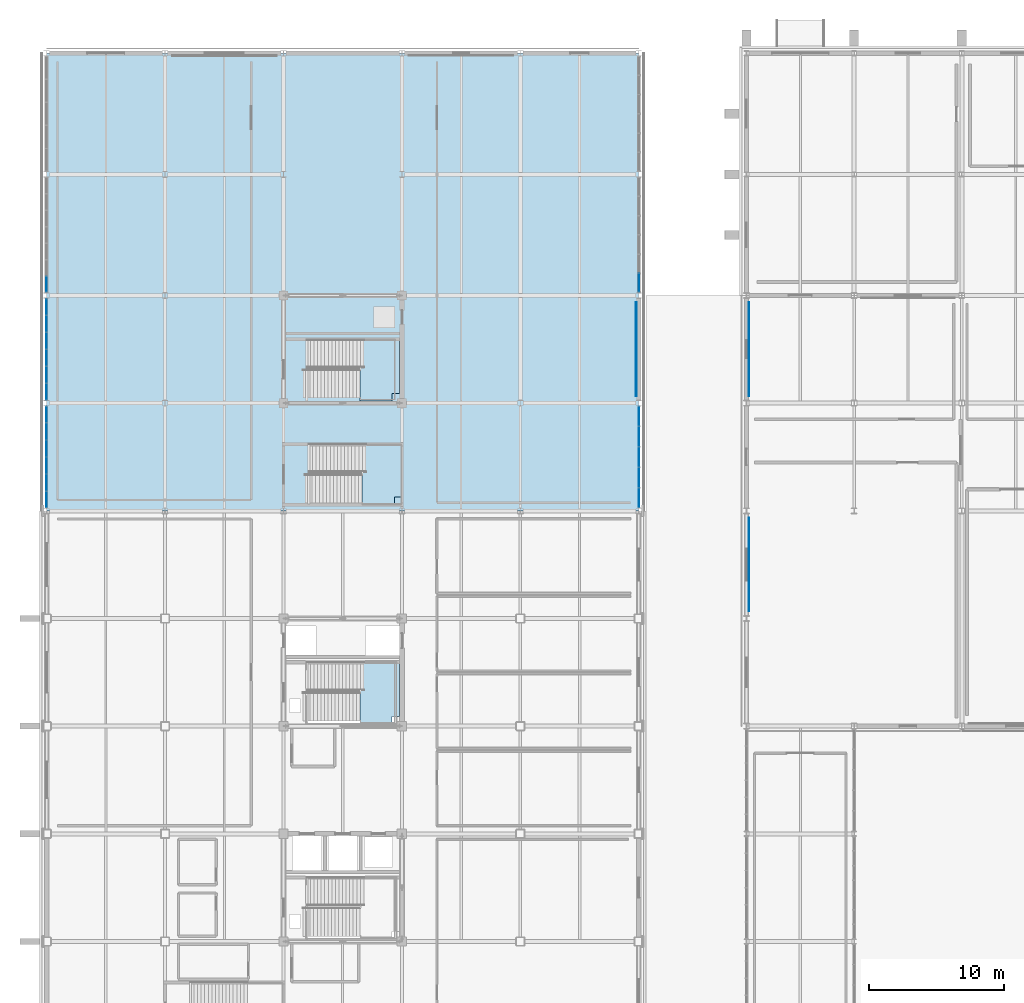
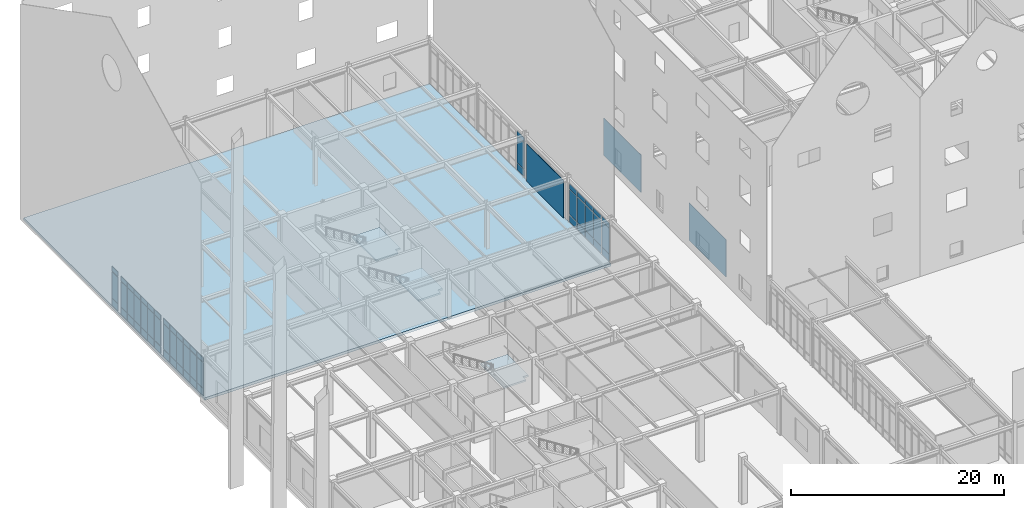
# One storey, part 63 of 119: 60 plates, 4 slabs, 8 elements without a shape of their own.
"""IFC4 building model written with IfcOpenShell, lengths in metres."""

from ifc_helpers import new_model, si_unit, direction, frame, origin, origin_2d, place, context, subcontext, project, spatial, polyline, rectangle, outline, extrude, material, layer, layer_set, type_object, element, aggregate, save


model = new_model("IFC4")

# Units and contexts
model_context = context("Model", 3, precision=1e-05, world=origin(), true_north=direction((0.0, 1.0)))
body_context = subcontext(model_context, "Body", "Model", "MODEL_VIEW")
ifc_project = project(units=[si_unit("LENGTHUNIT", "METRE"), si_unit("AREAUNIT", "SQUARE_METRE"), si_unit("VOLUMEUNIT", "CUBIC_METRE"), si_unit("PLANEANGLEUNIT", "RADIAN"), si_unit("MASSUNIT", "GRAM", prefix="KILO")], contexts=[model_context])

# Site, building, storey
site_placement = place(None, origin())
site = spatial("IfcSite", under=ifc_project, at=site_placement, CompositionType="ELEMENT")
building_placement = place(site_placement, origin())
building = spatial("IfcBuilding", under=site, at=building_placement, Name="Zhaolan Boulevard Law Courts", CompositionType="ELEMENT")
storey_placement = place(building_placement, origin())
storey = spatial("IfcBuildingStorey", under=building, at=storey_placement, Name="L00", CompositionType="ELEMENT", Elevation=0.0)

# Curtain wall, plates
ifc_material_1 = material(Name="Thermally broken aluminium and low-E glazing", Category="aluminium")
curtain_wall_type_1 = type_object("IfcCurtainWallType", Name="CURTAIN WALL M4", PredefinedType="USERDEFINED", material=ifc_material_1)
curtain_wall_1_placement = place(storey_placement, origin())
curtain_wall_1 = element("IfcCurtainWall", 1, at=curtain_wall_1_placement, inside=storey, type_object=curtain_wall_type_1, Name="Curtain Wall CW-L00-100", ObjectType="CURTAIN WALL", PredefinedType="USERDEFINED")
ifc_material_2 = material(Name="Acoustic laminated low-E glazing", Category="glass")
ifc_layer_1 = layer(ifc_material_2, 0.031982421875)
ifc_layer_set_1 = layer_set([ifc_layer_1])
plate_type_1 = type_object("IfcPlateType", Name="CWPANEL LOW E32", PredefinedType="CURTAIN_PANEL", material=ifc_layer_set_1)
plate_1_placement = place(storey_placement, frame((0.0, 85.148681640625, 0.06494140625), z_axis=(0.0, 0.0, 1.0), x_axis=(0.0, -1.0, 0.0)))
plate_1 = element("IfcPlate", 2, at=plate_1_placement, type_object=plate_type_1, Name="CW-L00-100 panel 1.1", PredefinedType="CURTAIN_PANEL", context=body_context, shape_type="SweptSolid", body=[
    extrude(rectangle(XDim=1.16845703125, YDim=0.031982421875, at=origin_2d()), origin(), (0.0, 0.0, 1.0), 0.802490234375),
])
plate_2_placement = place(storey_placement, frame((0.0, 85.148681640625, 0.9326171875), z_axis=(0.0, 0.0, 1.0), x_axis=(0.0, -1.0, 0.0)))
plate_2 = element("IfcPlate", 3, at=plate_2_placement, type_object=plate_type_1, Name="CW-L00-100 panel 1.2", PredefinedType="CURTAIN_PANEL", context=body_context, shape_type="SweptSolid", body=[
    extrude(rectangle(XDim=1.16845703125, YDim=0.031982421875, at=origin_2d()), origin(), (0.0, 0.0, 1.0), 2.887939453125),
])
plate_3_placement = place(storey_placement, frame((0.0, 85.148681640625, 3.8857421875), z_axis=(0.0, 0.0, 1.0), x_axis=(0.0, -1.0, 0.0)))
plate_3 = element("IfcPlate", 4, at=plate_3_placement, type_object=plate_type_1, Name="CW-L00-100 panel 1.3", PredefinedType="CURTAIN_PANEL", context=body_context, shape_type="SweptSolid", body=[
    extrude(rectangle(XDim=1.16845703125, YDim=0.031982421875, at=origin_2d()), origin(), (0.0, 0.0, 1.0), 0.552490234375),
])
plate_4_placement = place(storey_placement, frame((0.0, 83.89892578125, 0.06494140625), z_axis=(0.0, 0.0, 1.0), x_axis=(0.0, -1.0, 0.0)))
plate_4 = element("IfcPlate", 5, at=plate_4_placement, type_object=plate_type_1, Name="CW-L00-100 panel 2.1", PredefinedType="CURTAIN_PANEL", context=body_context, shape_type="SweptSolid", body=[
    extrude(rectangle(XDim=1.200927734375, YDim=0.031982421875, at=origin_2d()), origin(), (0.0, 0.0, 1.0), 0.802490234375),
])
plate_5_placement = place(storey_placement, frame((0.0, 83.89892578125, 0.9326171875), z_axis=(0.0, 0.0, 1.0), x_axis=(0.0, -1.0, 0.0)))
plate_5 = element("IfcPlate", 6, at=plate_5_placement, type_object=plate_type_1, Name="CW-L00-100 panel 2.2", PredefinedType="CURTAIN_PANEL", context=body_context, shape_type="SweptSolid", body=[
    extrude(rectangle(XDim=1.200927734375, YDim=0.031982421875, at=origin_2d()), origin(), (0.0, 0.0, 1.0), 2.887939453125),
])
plate_6_placement = place(storey_placement, frame((0.0, 83.89892578125, 3.8857421875), z_axis=(0.0, 0.0, 1.0), x_axis=(0.0, -1.0, 0.0)))
plate_6 = element("IfcPlate", 7, at=plate_6_placement, type_object=plate_type_1, Name="CW-L00-100 panel 2.3", PredefinedType="CURTAIN_PANEL", context=body_context, shape_type="SweptSolid", body=[
    extrude(rectangle(XDim=1.200927734375, YDim=0.031982421875, at=origin_2d()), origin(), (0.0, 0.0, 1.0), 0.552490234375),
])
plate_7_placement = place(storey_placement, frame((0.0, 82.633056640625, 0.06494140625), z_axis=(0.0, 0.0, 1.0), x_axis=(0.0, -1.0, 0.0)))
plate_7 = element("IfcPlate", 8, at=plate_7_placement, type_object=plate_type_1, Name="CW-L00-100 panel 3.1", PredefinedType="CURTAIN_PANEL", context=body_context, shape_type="SweptSolid", body=[
    extrude(rectangle(XDim=1.200927734375, YDim=0.031982421875, at=origin_2d()), origin(), (0.0, 0.0, 1.0), 0.802490234375),
])
plate_8_placement = place(storey_placement, frame((0.0, 82.633056640625, 0.9326171875), z_axis=(0.0, 0.0, 1.0), x_axis=(0.0, -1.0, 0.0)))
plate_8 = element("IfcPlate", 9, at=plate_8_placement, type_object=plate_type_1, Name="CW-L00-100 panel 3.2", PredefinedType="CURTAIN_PANEL", context=body_context, shape_type="SweptSolid", body=[
    extrude(rectangle(XDim=1.200927734375, YDim=0.031982421875, at=origin_2d()), origin(), (0.0, 0.0, 1.0), 2.887939453125),
])
plate_9_placement = place(storey_placement, frame((0.0, 82.633056640625, 3.8857421875), z_axis=(0.0, 0.0, 1.0), x_axis=(0.0, -1.0, 0.0)))
plate_9 = element("IfcPlate", 10, at=plate_9_placement, type_object=plate_type_1, Name="CW-L00-100 panel 3.3", PredefinedType="CURTAIN_PANEL", context=body_context, shape_type="SweptSolid", body=[
    extrude(rectangle(XDim=1.200927734375, YDim=0.031982421875, at=origin_2d()), origin(), (0.0, 0.0, 1.0), 0.552490234375),
])
plate_10_placement = place(storey_placement, frame((0.0, 81.366943359375, 0.06494140625), z_axis=(0.0, 0.0, 1.0), x_axis=(0.0, -1.0, 0.0)))
plate_10 = element("IfcPlate", 11, at=plate_10_placement, type_object=plate_type_1, Name="CW-L00-100 panel 4.1", PredefinedType="CURTAIN_PANEL", context=body_context, shape_type="SweptSolid", body=[
    extrude(rectangle(XDim=1.200927734375, YDim=0.031982421875, at=origin_2d()), origin(), (0.0, 0.0, 1.0), 0.802490234375),
])
plate_11_placement = place(storey_placement, frame((0.0, 81.366943359375, 0.9326171875), z_axis=(0.0, 0.0, 1.0), x_axis=(0.0, -1.0, 0.0)))
plate_11 = element("IfcPlate", 12, at=plate_11_placement, type_object=plate_type_1, Name="CW-L00-100 panel 4.2", PredefinedType="CURTAIN_PANEL", context=body_context, shape_type="SweptSolid", body=[
    extrude(rectangle(XDim=1.200927734375, YDim=0.031982421875, at=origin_2d()), origin(), (0.0, 0.0, 1.0), 2.887939453125),
])
plate_12_placement = place(storey_placement, frame((0.0, 81.366943359375, 3.8857421875), z_axis=(0.0, 0.0, 1.0), x_axis=(0.0, -1.0, 0.0)))
plate_12 = element("IfcPlate", 13, at=plate_12_placement, type_object=plate_type_1, Name="CW-L00-100 panel 4.3", PredefinedType="CURTAIN_PANEL", context=body_context, shape_type="SweptSolid", body=[
    extrude(rectangle(XDim=1.200927734375, YDim=0.031982421875, at=origin_2d()), origin(), (0.0, 0.0, 1.0), 0.552490234375),
])
plate_13_placement = place(storey_placement, frame((0.0, 80.10107421875, 0.06494140625), z_axis=(0.0, 0.0, 1.0), x_axis=(0.0, -1.0, 0.0)))
plate_13 = element("IfcPlate", 14, at=plate_13_placement, type_object=plate_type_1, Name="CW-L00-100 panel 5.1", PredefinedType="CURTAIN_PANEL", context=body_context, shape_type="SweptSolid", body=[
    extrude(rectangle(XDim=1.200927734375, YDim=0.031982421875, at=origin_2d()), origin(), (0.0, 0.0, 1.0), 0.802490234375),
])
plate_14_placement = place(storey_placement, frame((0.0, 80.10107421875, 0.9326171875), z_axis=(0.0, 0.0, 1.0), x_axis=(0.0, -1.0, 0.0)))
plate_14 = element("IfcPlate", 15, at=plate_14_placement, type_object=plate_type_1, Name="CW-L00-100 panel 5.2", PredefinedType="CURTAIN_PANEL", context=body_context, shape_type="SweptSolid", body=[
    extrude(rectangle(XDim=1.200927734375, YDim=0.031982421875, at=origin_2d()), origin(), (0.0, 0.0, 1.0), 2.887939453125),
])
plate_15_placement = place(storey_placement, frame((0.0, 80.10107421875, 3.8857421875), z_axis=(0.0, 0.0, 1.0), x_axis=(0.0, -1.0, 0.0)))
plate_15 = element("IfcPlate", 16, at=plate_15_placement, type_object=plate_type_1, Name="CW-L00-100 panel 5.3", PredefinedType="CURTAIN_PANEL", context=body_context, shape_type="SweptSolid", body=[
    extrude(rectangle(XDim=1.200927734375, YDim=0.031982421875, at=origin_2d()), origin(), (0.0, 0.0, 1.0), 0.552490234375),
])
plate_16_placement = place(storey_placement, frame((0.0, 78.851318359375, 0.06494140625), z_axis=(0.0, 0.0, 1.0), x_axis=(0.0, -1.0, 0.0)))
plate_16 = element("IfcPlate", 17, at=plate_16_placement, type_object=plate_type_1, Name="CW-L00-100 panel 6.1", PredefinedType="CURTAIN_PANEL", context=body_context, shape_type="SweptSolid", body=[
    extrude(rectangle(XDim=1.16845703125, YDim=0.031982421875, at=origin_2d()), origin(), (0.0, 0.0, 1.0), 0.802490234375),
])
plate_17_placement = place(storey_placement, frame((0.0, 78.851318359375, 0.9326171875), z_axis=(0.0, 0.0, 1.0), x_axis=(0.0, -1.0, 0.0)))
plate_17 = element("IfcPlate", 18, at=plate_17_placement, type_object=plate_type_1, Name="CW-L00-100 panel 6.2", PredefinedType="CURTAIN_PANEL", context=body_context, shape_type="SweptSolid", body=[
    extrude(rectangle(XDim=1.16845703125, YDim=0.031982421875, at=origin_2d()), origin(), (0.0, 0.0, 1.0), 2.887939453125),
])
plate_18_placement = place(storey_placement, frame((0.0, 78.851318359375, 3.8857421875), z_axis=(0.0, 0.0, 1.0), x_axis=(0.0, -1.0, 0.0)))
plate_18 = element("IfcPlate", 19, at=plate_18_placement, type_object=plate_type_1, Name="CW-L00-100 panel 6.3", PredefinedType="CURTAIN_PANEL", context=body_context, shape_type="SweptSolid", body=[
    extrude(rectangle(XDim=1.16845703125, YDim=0.031982421875, at=origin_2d()), origin(), (0.0, 0.0, 1.0), 0.552490234375),
])
aggregate(curtain_wall_1, [plate_1, plate_2, plate_3, plate_4, plate_5, plate_6, plate_7, plate_8, plate_9, plate_10, plate_11, plate_12, plate_13, plate_14, plate_15, plate_16, plate_17, plate_18])

ifc_material_3 = material(Name="Thermally broken aluminium and low-E glazing", Category="aluminium")
curtain_wall_type_2 = type_object("IfcCurtainWallType", Name="CURTAIN WALL M5", PredefinedType="USERDEFINED", material=ifc_material_3)
curtain_wall_2_placement = place(storey_placement, origin())
curtain_wall_2 = element("IfcCurtainWall", 20, at=curtain_wall_2_placement, inside=storey, type_object=curtain_wall_type_2, Name="Curtain Wall CW-L00-101", ObjectType="CURTAIN WALL", PredefinedType="USERDEFINED")
plate_19_placement = place(storey_placement, frame((0.0, 93.148681640625, 0.06494140625), z_axis=(0.0, 0.0, 1.0), x_axis=(0.0, -1.0, 0.0)))
plate_19 = element("IfcPlate", 21, at=plate_19_placement, type_object=plate_type_1, Name="CW-L00-101 panel 1.1", PredefinedType="CURTAIN_PANEL", context=body_context, shape_type="SweptSolid", body=[
    extrude(rectangle(XDim=1.16845703125, YDim=0.031982421875, at=origin_2d()), origin(), (0.0, 0.0, 1.0), 0.802490234375),
])
plate_20_placement = place(storey_placement, frame((0.0, 93.148681640625, 0.9326171875), z_axis=(0.0, 0.0, 1.0), x_axis=(0.0, -1.0, 0.0)))
plate_20 = element("IfcPlate", 22, at=plate_20_placement, type_object=plate_type_1, Name="CW-L00-101 panel 1.2", PredefinedType="CURTAIN_PANEL", context=body_context, shape_type="SweptSolid", body=[
    extrude(rectangle(XDim=1.16845703125, YDim=0.031982421875, at=origin_2d()), origin(), (0.0, 0.0, 1.0), 2.887939453125),
])
plate_21_placement = place(storey_placement, frame((0.0, 93.148681640625, 3.8857421875), z_axis=(0.0, 0.0, 1.0), x_axis=(0.0, -1.0, 0.0)))
plate_21 = element("IfcPlate", 23, at=plate_21_placement, type_object=plate_type_1, Name="CW-L00-101 panel 1.3", PredefinedType="CURTAIN_PANEL", context=body_context, shape_type="SweptSolid", body=[
    extrude(rectangle(XDim=1.16845703125, YDim=0.031982421875, at=origin_2d()), origin(), (0.0, 0.0, 1.0), 0.552490234375),
])
plate_22_placement = place(storey_placement, frame((0.0, 91.89892578125, 0.06494140625), z_axis=(0.0, 0.0, 1.0), x_axis=(0.0, -1.0, 0.0)))
plate_22 = element("IfcPlate", 24, at=plate_22_placement, type_object=plate_type_1, Name="CW-L00-101 panel 2.1", PredefinedType="CURTAIN_PANEL", context=body_context, shape_type="SweptSolid", body=[
    extrude(rectangle(XDim=1.200927734375, YDim=0.031982421875, at=origin_2d()), origin(), (0.0, 0.0, 1.0), 0.802490234375),
])
plate_23_placement = place(storey_placement, frame((0.0, 91.89892578125, 0.9326171875), z_axis=(0.0, 0.0, 1.0), x_axis=(0.0, -1.0, 0.0)))
plate_23 = element("IfcPlate", 25, at=plate_23_placement, type_object=plate_type_1, Name="CW-L00-101 panel 2.2", PredefinedType="CURTAIN_PANEL", context=body_context, shape_type="SweptSolid", body=[
    extrude(rectangle(XDim=1.200927734375, YDim=0.031982421875, at=origin_2d()), origin(), (0.0, 0.0, 1.0), 2.887939453125),
])
plate_24_placement = place(storey_placement, frame((0.0, 91.89892578125, 3.8857421875), z_axis=(0.0, 0.0, 1.0), x_axis=(0.0, -1.0, 0.0)))
plate_24 = element("IfcPlate", 26, at=plate_24_placement, type_object=plate_type_1, Name="CW-L00-101 panel 2.3", PredefinedType="CURTAIN_PANEL", context=body_context, shape_type="SweptSolid", body=[
    extrude(rectangle(XDim=1.200927734375, YDim=0.031982421875, at=origin_2d()), origin(), (0.0, 0.0, 1.0), 0.552490234375),
])
plate_25_placement = place(storey_placement, frame((0.0, 90.633056640625, 0.06494140625), z_axis=(0.0, 0.0, 1.0), x_axis=(0.0, -1.0, 0.0)))
plate_25 = element("IfcPlate", 27, at=plate_25_placement, type_object=plate_type_1, Name="CW-L00-101 panel 3.1", PredefinedType="CURTAIN_PANEL", context=body_context, shape_type="SweptSolid", body=[
    extrude(rectangle(XDim=1.200927734375, YDim=0.031982421875, at=origin_2d()), origin(), (0.0, 0.0, 1.0), 0.802490234375),
])
plate_26_placement = place(storey_placement, frame((0.0, 90.633056640625, 0.9326171875), z_axis=(0.0, 0.0, 1.0), x_axis=(0.0, -1.0, 0.0)))
plate_26 = element("IfcPlate", 28, at=plate_26_placement, type_object=plate_type_1, Name="CW-L00-101 panel 3.2", PredefinedType="CURTAIN_PANEL", context=body_context, shape_type="SweptSolid", body=[
    extrude(rectangle(XDim=1.200927734375, YDim=0.031982421875, at=origin_2d()), origin(), (0.0, 0.0, 1.0), 2.887939453125),
])
plate_27_placement = place(storey_placement, frame((0.0, 90.633056640625, 3.8857421875), z_axis=(0.0, 0.0, 1.0), x_axis=(0.0, -1.0, 0.0)))
plate_27 = element("IfcPlate", 29, at=plate_27_placement, type_object=plate_type_1, Name="CW-L00-101 panel 3.3", PredefinedType="CURTAIN_PANEL", context=body_context, shape_type="SweptSolid", body=[
    extrude(rectangle(XDim=1.200927734375, YDim=0.031982421875, at=origin_2d()), origin(), (0.0, 0.0, 1.0), 0.552490234375),
])
plate_28_placement = place(storey_placement, frame((0.0, 89.366943359375, 0.06494140625), z_axis=(0.0, 0.0, 1.0), x_axis=(0.0, -1.0, 0.0)))
plate_28 = element("IfcPlate", 30, at=plate_28_placement, type_object=plate_type_1, Name="CW-L00-101 panel 4.1", PredefinedType="CURTAIN_PANEL", context=body_context, shape_type="SweptSolid", body=[
    extrude(rectangle(XDim=1.200927734375, YDim=0.031982421875, at=origin_2d()), origin(), (0.0, 0.0, 1.0), 0.802490234375),
])
plate_29_placement = place(storey_placement, frame((0.0, 89.366943359375, 0.9326171875), z_axis=(0.0, 0.0, 1.0), x_axis=(0.0, -1.0, 0.0)))
plate_29 = element("IfcPlate", 31, at=plate_29_placement, type_object=plate_type_1, Name="CW-L00-101 panel 4.2", PredefinedType="CURTAIN_PANEL", context=body_context, shape_type="SweptSolid", body=[
    extrude(rectangle(XDim=1.200927734375, YDim=0.031982421875, at=origin_2d()), origin(), (0.0, 0.0, 1.0), 2.887939453125),
])
plate_30_placement = place(storey_placement, frame((0.0, 89.366943359375, 3.8857421875), z_axis=(0.0, 0.0, 1.0), x_axis=(0.0, -1.0, 0.0)))
plate_30 = element("IfcPlate", 32, at=plate_30_placement, type_object=plate_type_1, Name="CW-L00-101 panel 4.3", PredefinedType="CURTAIN_PANEL", context=body_context, shape_type="SweptSolid", body=[
    extrude(rectangle(XDim=1.200927734375, YDim=0.031982421875, at=origin_2d()), origin(), (0.0, 0.0, 1.0), 0.552490234375),
])
plate_31_placement = place(storey_placement, frame((0.0, 88.10107421875, 0.06494140625), z_axis=(0.0, 0.0, 1.0), x_axis=(0.0, -1.0, 0.0)))
plate_31 = element("IfcPlate", 33, at=plate_31_placement, type_object=plate_type_1, Name="CW-L00-101 panel 5.1", PredefinedType="CURTAIN_PANEL", context=body_context, shape_type="SweptSolid", body=[
    extrude(rectangle(XDim=1.200927734375, YDim=0.031982421875, at=origin_2d()), origin(), (0.0, 0.0, 1.0), 0.802490234375),
])
plate_32_placement = place(storey_placement, frame((0.0, 88.10107421875, 0.9326171875), z_axis=(0.0, 0.0, 1.0), x_axis=(0.0, -1.0, 0.0)))
plate_32 = element("IfcPlate", 34, at=plate_32_placement, type_object=plate_type_1, Name="CW-L00-101 panel 5.2", PredefinedType="CURTAIN_PANEL", context=body_context, shape_type="SweptSolid", body=[
    extrude(rectangle(XDim=1.200927734375, YDim=0.031982421875, at=origin_2d()), origin(), (0.0, 0.0, 1.0), 2.887939453125),
])
plate_33_placement = place(storey_placement, frame((0.0, 88.10107421875, 3.8857421875), z_axis=(0.0, 0.0, 1.0), x_axis=(0.0, -1.0, 0.0)))
plate_33 = element("IfcPlate", 35, at=plate_33_placement, type_object=plate_type_1, Name="CW-L00-101 panel 5.3", PredefinedType="CURTAIN_PANEL", context=body_context, shape_type="SweptSolid", body=[
    extrude(rectangle(XDim=1.200927734375, YDim=0.031982421875, at=origin_2d()), origin(), (0.0, 0.0, 1.0), 0.552490234375),
])
plate_34_placement = place(storey_placement, frame((0.0, 86.851318359375, 0.06494140625), z_axis=(0.0, 0.0, 1.0), x_axis=(0.0, -1.0, 0.0)))
plate_34 = element("IfcPlate", 36, at=plate_34_placement, type_object=plate_type_1, Name="CW-L00-101 panel 6.1", PredefinedType="CURTAIN_PANEL", context=body_context, shape_type="SweptSolid", body=[
    extrude(rectangle(XDim=1.16845703125, YDim=0.031982421875, at=origin_2d()), origin(), (0.0, 0.0, 1.0), 0.802490234375),
])
plate_35_placement = place(storey_placement, frame((0.0, 86.851318359375, 0.9326171875), z_axis=(0.0, 0.0, 1.0), x_axis=(0.0, -1.0, 0.0)))
plate_35 = element("IfcPlate", 37, at=plate_35_placement, type_object=plate_type_1, Name="CW-L00-101 panel 6.2", PredefinedType="CURTAIN_PANEL", context=body_context, shape_type="SweptSolid", body=[
    extrude(rectangle(XDim=1.16845703125, YDim=0.031982421875, at=origin_2d()), origin(), (0.0, 0.0, 1.0), 2.887939453125),
])
plate_36_placement = place(storey_placement, frame((0.0, 86.851318359375, 3.8857421875), z_axis=(0.0, 0.0, 1.0), x_axis=(0.0, -1.0, 0.0)))
plate_36 = element("IfcPlate", 38, at=plate_36_placement, type_object=plate_type_1, Name="CW-L00-101 panel 6.3", PredefinedType="CURTAIN_PANEL", context=body_context, shape_type="SweptSolid", body=[
    extrude(rectangle(XDim=1.16845703125, YDim=0.031982421875, at=origin_2d()), origin(), (0.0, 0.0, 1.0), 0.552490234375),
])
aggregate(curtain_wall_2, [plate_19, plate_20, plate_21, plate_22, plate_23, plate_24, plate_25, plate_26, plate_27, plate_28, plate_29, plate_30, plate_31, plate_32, plate_33, plate_34, plate_35, plate_36])

ifc_material_4 = material(Name="Thermally broken aluminium and low-E glazing", Category="aluminium")
curtain_wall_type_3 = type_object("IfcCurtainWallType", Name="CURTAIN WALL M6", PredefinedType="USERDEFINED", material=ifc_material_4)
curtain_wall_3_placement = place(storey_placement, origin())
curtain_wall_3 = element("IfcCurtainWall", 39, at=curtain_wall_3_placement, inside=storey, type_object=curtain_wall_type_3, Name="Curtain Wall CW-L00-102", ObjectType="CURTAIN WALL", PredefinedType="USERDEFINED")
plate_37_placement = place(storey_placement, frame((0.0, 94.832275390625, 0.06494140625), z_axis=(0.0, 0.0, 1.0), x_axis=(0.0, -1.0, 0.0)))
plate_37 = element("IfcPlate", 40, at=plate_37_placement, type_object=plate_type_1, Name="CW-L00-102 panel 7.1", PredefinedType="CURTAIN_PANEL", context=body_context, shape_type="SweptSolid", body=[
    extrude(rectangle(XDim=1.130615234375, YDim=0.031982421875, at=origin_2d()), origin(), (0.0, 0.0, 1.0), 0.802490234375),
])
plate_38_placement = place(storey_placement, frame((0.0, 94.832275390625, 0.9326171875), z_axis=(0.0, 0.0, 1.0), x_axis=(0.0, -1.0, 0.0)))
plate_38 = element("IfcPlate", 41, at=plate_38_placement, type_object=plate_type_1, Name="CW-L00-102 panel 7.2", PredefinedType="CURTAIN_PANEL", context=body_context, shape_type="SweptSolid", body=[
    extrude(rectangle(XDim=1.130615234375, YDim=0.031982421875, at=origin_2d()), origin(), (0.0, 0.0, 1.0), 3.006103515625),
])
plate_39_placement = place(storey_placement, frame((0.0, 94.832275390625, 4.00341796875), z_axis=(0.0, 0.0, 1.0), x_axis=(0.0, -1.0, 0.0)))
plate_39 = element("IfcPlate", 42, at=plate_39_placement, type_object=plate_type_1, Name="CW-L00-102 panel 7.3", PredefinedType="CURTAIN_PANEL", context=body_context, shape_type="SweptSolid", body=[
    extrude(rectangle(XDim=1.130615234375, YDim=0.031982421875, at=origin_2d()), origin(), (0.0, 0.0, 1.0), 0.552490234375),
])
aggregate(curtain_wall_3, [plate_37, plate_38, plate_39])

ifc_material_5 = material(Name="Thermally broken aluminium and low-E glazing", Category="aluminium")
curtain_wall_type_4 = type_object("IfcCurtainWallType", Name="CURTAIN WALL M8", PredefinedType="USERDEFINED", material=ifc_material_5)
curtain_wall_4_placement = place(storey_placement, origin())
curtain_wall_4 = element("IfcCurtainWall", 43, at=curtain_wall_4_placement, inside=storey, type_object=curtain_wall_type_4, Name="Curtain Wall CW-L00-104", ObjectType="CURTAIN WALL", PredefinedType="USERDEFINED")
plate_40_placement = place(storey_placement, frame((44.0, 78.977783203125, 0.06494140625), z_axis=(0.0, 0.0, 1.0), x_axis=(0.0, 1.0, 0.0)))
plate_40 = element("IfcPlate", 44, at=plate_40_placement, type_object=plate_type_1, Name="CW-L00-104 panel 1.1", PredefinedType="CURTAIN_PANEL", context=body_context, shape_type="SweptSolid", body=[
    extrude(rectangle(XDim=1.421630859375, YDim=0.031982421875, at=origin_2d()), origin(), (0.0, 0.0, 1.0), 0.802490234375),
])
plate_41_placement = place(storey_placement, frame((44.0, 78.977783203125, 0.9326171875), z_axis=(0.0, 0.0, 1.0), x_axis=(0.0, 1.0, 0.0)))
plate_41 = element("IfcPlate", 45, at=plate_41_placement, type_object=plate_type_1, Name="CW-L00-104 panel 1.2", PredefinedType="CURTAIN_PANEL", context=body_context, shape_type="SweptSolid", body=[
    extrude(rectangle(XDim=1.421630859375, YDim=0.031982421875, at=origin_2d()), origin(), (0.0, 0.0, 1.0), 2.887939453125),
])
plate_42_placement = place(storey_placement, frame((44.0, 78.977783203125, 3.8857421875), z_axis=(0.0, 0.0, 1.0), x_axis=(0.0, 1.0, 0.0)))
plate_42 = element("IfcPlate", 46, at=plate_42_placement, type_object=plate_type_1, Name="CW-L00-104 panel 1.3", PredefinedType="CURTAIN_PANEL", context=body_context, shape_type="SweptSolid", body=[
    extrude(rectangle(XDim=1.421630859375, YDim=0.031982421875, at=origin_2d()), origin(), (0.0, 0.0, 1.0), 0.552490234375),
])
plate_43_placement = place(storey_placement, frame((44.0, 80.480712890625, 0.06494140625), z_axis=(0.0, 0.0, 1.0), x_axis=(0.0, 1.0, 0.0)))
plate_43 = element("IfcPlate", 47, at=plate_43_placement, type_object=plate_type_1, Name="CW-L00-104 panel 2.1", PredefinedType="CURTAIN_PANEL", context=body_context, shape_type="SweptSolid", body=[
    extrude(rectangle(XDim=1.4541015625, YDim=0.031982421875, at=origin_2d()), origin(), (0.0, 0.0, 1.0), 0.802490234375),
])
plate_44_placement = place(storey_placement, frame((44.0, 80.480712890625, 0.9326171875), z_axis=(0.0, 0.0, 1.0), x_axis=(0.0, 1.0, 0.0)))
plate_44 = element("IfcPlate", 48, at=plate_44_placement, type_object=plate_type_1, Name="CW-L00-104 panel 2.2", PredefinedType="CURTAIN_PANEL", context=body_context, shape_type="SweptSolid", body=[
    extrude(rectangle(XDim=1.4541015625, YDim=0.031982421875, at=origin_2d()), origin(), (0.0, 0.0, 1.0), 2.887939453125),
])
plate_45_placement = place(storey_placement, frame((44.0, 80.480712890625, 3.8857421875), z_axis=(0.0, 0.0, 1.0), x_axis=(0.0, 1.0, 0.0)))
plate_45 = element("IfcPlate", 49, at=plate_45_placement, type_object=plate_type_1, Name="CW-L00-104 panel 2.3", PredefinedType="CURTAIN_PANEL", context=body_context, shape_type="SweptSolid", body=[
    extrude(rectangle(XDim=1.4541015625, YDim=0.031982421875, at=origin_2d()), origin(), (0.0, 0.0, 1.0), 0.552490234375),
])
plate_46_placement = place(storey_placement, frame((44.0, 82.0, 0.06494140625), z_axis=(0.0, 0.0, 1.0), x_axis=(0.0, 1.0, 0.0)))
plate_46 = element("IfcPlate", 50, at=plate_46_placement, type_object=plate_type_1, Name="CW-L00-104 panel 3.1", PredefinedType="CURTAIN_PANEL", context=body_context, shape_type="SweptSolid", body=[
    extrude(rectangle(XDim=1.4541015625, YDim=0.031982421875, at=origin_2d()), origin(), (0.0, 0.0, 1.0), 0.802490234375),
])
plate_47_placement = place(storey_placement, frame((44.0, 82.0, 0.9326171875), z_axis=(0.0, 0.0, 1.0), x_axis=(0.0, 1.0, 0.0)))
plate_47 = element("IfcPlate", 51, at=plate_47_placement, type_object=plate_type_1, Name="CW-L00-104 panel 3.2", PredefinedType="CURTAIN_PANEL", context=body_context, shape_type="SweptSolid", body=[
    extrude(rectangle(XDim=1.4541015625, YDim=0.031982421875, at=origin_2d()), origin(), (0.0, 0.0, 1.0), 2.887939453125),
])
plate_48_placement = place(storey_placement, frame((44.0, 82.0, 3.8857421875), z_axis=(0.0, 0.0, 1.0), x_axis=(0.0, 1.0, 0.0)))
plate_48 = element("IfcPlate", 52, at=plate_48_placement, type_object=plate_type_1, Name="CW-L00-104 panel 3.3", PredefinedType="CURTAIN_PANEL", context=body_context, shape_type="SweptSolid", body=[
    extrude(rectangle(XDim=1.4541015625, YDim=0.031982421875, at=origin_2d()), origin(), (0.0, 0.0, 1.0), 0.552490234375),
])
plate_49_placement = place(storey_placement, frame((44.0, 83.519287109375, 0.06494140625), z_axis=(0.0, 0.0, 1.0), x_axis=(0.0, 1.0, 0.0)))
plate_49 = element("IfcPlate", 53, at=plate_49_placement, type_object=plate_type_1, Name="CW-L00-104 panel 4.1", PredefinedType="CURTAIN_PANEL", context=body_context, shape_type="SweptSolid", body=[
    extrude(rectangle(XDim=1.4541015625, YDim=0.031982421875, at=origin_2d()), origin(), (0.0, 0.0, 1.0), 0.802490234375),
])
plate_50_placement = place(storey_placement, frame((44.0, 83.519287109375, 0.9326171875), z_axis=(0.0, 0.0, 1.0), x_axis=(0.0, 1.0, 0.0)))
plate_50 = element("IfcPlate", 54, at=plate_50_placement, type_object=plate_type_1, Name="CW-L00-104 panel 4.2", PredefinedType="CURTAIN_PANEL", context=body_context, shape_type="SweptSolid", body=[
    extrude(rectangle(XDim=1.4541015625, YDim=0.031982421875, at=origin_2d()), origin(), (0.0, 0.0, 1.0), 2.887939453125),
])
plate_51_placement = place(storey_placement, frame((44.0, 83.519287109375, 3.8857421875), z_axis=(0.0, 0.0, 1.0), x_axis=(0.0, 1.0, 0.0)))
plate_51 = element("IfcPlate", 55, at=plate_51_placement, type_object=plate_type_1, Name="CW-L00-104 panel 4.3", PredefinedType="CURTAIN_PANEL", context=body_context, shape_type="SweptSolid", body=[
    extrude(rectangle(XDim=1.4541015625, YDim=0.031982421875, at=origin_2d()), origin(), (0.0, 0.0, 1.0), 0.552490234375),
])
plate_52_placement = place(storey_placement, frame((44.0, 85.022216796875, 0.06494140625), z_axis=(0.0, 0.0, 1.0), x_axis=(0.0, 1.0, 0.0)))
plate_52 = element("IfcPlate", 56, at=plate_52_placement, type_object=plate_type_1, Name="CW-L00-104 panel 5.1", PredefinedType="CURTAIN_PANEL", context=body_context, shape_type="SweptSolid", body=[
    extrude(rectangle(XDim=1.421630859375, YDim=0.031982421875, at=origin_2d()), origin(), (0.0, 0.0, 1.0), 0.802490234375),
])
plate_53_placement = place(storey_placement, frame((44.0, 85.022216796875, 0.9326171875), z_axis=(0.0, 0.0, 1.0), x_axis=(0.0, 1.0, 0.0)))
plate_53 = element("IfcPlate", 57, at=plate_53_placement, type_object=plate_type_1, Name="CW-L00-104 panel 5.2", PredefinedType="CURTAIN_PANEL", context=body_context, shape_type="SweptSolid", body=[
    extrude(rectangle(XDim=1.421630859375, YDim=0.031982421875, at=origin_2d()), origin(), (0.0, 0.0, 1.0), 2.887939453125),
])
plate_54_placement = place(storey_placement, frame((44.0, 85.022216796875, 3.8857421875), z_axis=(0.0, 0.0, 1.0), x_axis=(0.0, 1.0, 0.0)))
plate_54 = element("IfcPlate", 58, at=plate_54_placement, type_object=plate_type_1, Name="CW-L00-104 panel 5.3", PredefinedType="CURTAIN_PANEL", context=body_context, shape_type="SweptSolid", body=[
    extrude(rectangle(XDim=1.421630859375, YDim=0.031982421875, at=origin_2d()), origin(), (0.0, 0.0, 1.0), 0.552490234375),
])
aggregate(curtain_wall_4, [plate_40, plate_41, plate_42, plate_43, plate_44, plate_45, plate_46, plate_47, plate_48, plate_49, plate_50, plate_51, plate_52, plate_53, plate_54])

ifc_material_6 = material(Name="Thermally broken aluminium and low-E glazing", Category="aluminium")
curtain_wall_type_5 = type_object("IfcCurtainWallType", Name="CURTAIN WALL M9", PredefinedType="USERDEFINED", material=ifc_material_6)
curtain_wall_5_placement = place(storey_placement, origin())
curtain_wall_5 = element("IfcCurtainWall", 59, at=curtain_wall_5_placement, inside=storey, type_object=curtain_wall_type_5, Name="Curtain Wall CW-L00-105", ObjectType="CURTAIN WALL", PredefinedType="USERDEFINED")
plate_55_placement = place(storey_placement, frame((44.0, 94.9345703125, 0.06494140625), z_axis=(0.0, 0.0, 1.0), x_axis=(0.0, 1.0, 0.0)))
plate_55 = element("IfcPlate", 60, at=plate_55_placement, type_object=plate_type_1, Name="CW-L00-105 panel 1.1", PredefinedType="CURTAIN_PANEL", context=body_context, shape_type="SweptSolid", body=[
    extrude(rectangle(XDim=1.335205078125, YDim=0.031982421875, at=origin_2d()), origin(), (0.0, 0.0, 1.0), 0.802490234375),
])
plate_56_placement = place(storey_placement, frame((44.0, 94.9345703125, 0.9326171875), z_axis=(0.0, 0.0, 1.0), x_axis=(0.0, 1.0, 0.0)))
plate_56 = element("IfcPlate", 61, at=plate_56_placement, type_object=plate_type_1, Name="CW-L00-105 panel 1.2", PredefinedType="CURTAIN_PANEL", context=body_context, shape_type="SweptSolid", body=[
    extrude(rectangle(XDim=1.335205078125, YDim=0.031982421875, at=origin_2d()), origin(), (0.0, 0.0, 1.0), 3.006103515625),
])
plate_57_placement = place(storey_placement, frame((44.0, 94.9345703125, 4.00341796875), z_axis=(0.0, 0.0, 1.0), x_axis=(0.0, 1.0, 0.0)))
plate_57 = element("IfcPlate", 62, at=plate_57_placement, type_object=plate_type_1, Name="CW-L00-105 panel 1.3", PredefinedType="CURTAIN_PANEL", context=body_context, shape_type="SweptSolid", body=[
    extrude(rectangle(XDim=1.335205078125, YDim=0.031982421875, at=origin_2d()), origin(), (0.0, 0.0, 1.0), 0.552490234375),
])
aggregate(curtain_wall_5, [plate_55, plate_56, plate_57])

# Slab
ifc_material_7 = material(Name="Concrete C40", Category="concrete")
ifc_layer_2 = layer(ifc_material_7, 0.300048828125)
ifc_layer_set_2 = layer_set([ifc_layer_2])
slab_type_1 = type_object("IfcSlabType", Name="FLOOR SLAB 300", PredefinedType="FLOOR", material=ifc_layer_set_2)
slab_1_placement = place(storey_placement, frame((0.0, 0.0, -0.300048828125)))
element("IfcSlab", 63, at=slab_1_placement, inside=storey, type_object=slab_type_1, Name="Slab SLB-L00-V3", PredefinedType="FLOOR", context=body_context, shape_type="SweptSolid", body=[
    extrude(outline(polyline([(0.0, 78.0), (44.0, 78.0), (44.0, 112.0), (0.0, 112.0), (0.0, 78.0)])), origin(), (0.0, 0.0, 1.0), 0.300048828125),
])

# Stair, slab
ifc_material_8 = material(Name="Concrete C40", Category="concrete")
stair_type_1 = type_object("IfcStairType", Name="HALF TURN STAIR 54 B", PredefinedType="HALF_TURN_STAIR", material=ifc_material_8)
stair_1_placement = place(storey_placement, origin())
stair_1 = element("IfcStair", 64, at=stair_1_placement, inside=storey, type_object=stair_type_1, Name="Stair ST02-L00", PredefinedType="HALF_TURN_STAIR")
ifc_material_9 = material(Name="Concrete C40", Category="concrete")
ifc_layer_3 = layer(ifc_material_9, 0.199951171875)
ifc_layer_set_3 = layer_set([ifc_layer_3])
slab_type_2 = type_object("IfcSlabType", Name="STAIR LANDING 200", PredefinedType="LANDING", material=ifc_layer_set_3)
slab_2_placement = place(storey_placement, frame((0.0, 0.0, 2.5)))
slab_2 = element("IfcSlab", 65, at=slab_2_placement, type_object=slab_type_2, Name="Stair Landing ST02-L00-L1", PredefinedType="LANDING", context=body_context, shape_type="SweptSolid", body=[
    extrude(outline(polyline([(23.2900390625, 62.169921875), (25.669921875, 62.169921875), (25.669921875, 62.72998046875), (26.22998046875, 62.72998046875), (26.22998046875, 66.639892578125), (23.2900390625, 66.639892578125), (23.2900390625, 62.169921875)])), origin(), (0.0, 0.0, 1.0), 0.199951171875),
])
aggregate(stair_1, [slab_2])

ifc_material_10 = material(Name="Concrete C40", Category="concrete")
stair_type_2 = type_object("IfcStairType", Name="HALF TURN STAIR 54 A", PredefinedType="HALF_TURN_STAIR", material=ifc_material_10)
stair_2_placement = place(storey_placement, origin())
stair_2 = element("IfcStair", 66, at=stair_2_placement, inside=storey, type_object=stair_type_2, Name="Stair ST10-L00", PredefinedType="HALF_TURN_STAIR")
slab_3_placement = place(storey_placement, frame((0.0, 0.0, 2.5)))
slab_3 = element("IfcSlab", 67, at=slab_3_placement, type_object=slab_type_2, Name="Stair Landing ST10-L00-L1", PredefinedType="LANDING", context=body_context, shape_type="SweptSolid", body=[
    extrude(outline(polyline([(23.2900390625, 86.169921875), (25.669921875, 86.169921875), (25.669921875, 86.72998046875), (26.22998046875, 86.72998046875), (26.22998046875, 90.639892578125), (23.2900390625, 90.639892578125), (23.2900390625, 86.169921875)])), origin(), (0.0, 0.0, 1.0), 0.199951171875),
])
aggregate(stair_2, [slab_3])

stair_3_placement = place(storey_placement, origin())
stair_3 = element("IfcStair", 68, at=stair_3_placement, inside=storey, type_object=stair_type_1, Name="Stair ST12-L00", PredefinedType="HALF_TURN_STAIR")
slab_4_placement = place(storey_placement, frame((0.0, 0.0, 2.5)))
slab_4 = element("IfcSlab", 69, at=slab_4_placement, type_object=slab_type_2, Name="Stair Landing ST12-L00-L1", PredefinedType="LANDING", context=body_context, shape_type="SweptSolid", body=[
    extrude(outline(polyline([(23.43994140625, 78.5), (25.840087890625, 78.5), (25.840087890625, 79.010009765625), (26.35009765625, 79.010009765625), (26.35009765625, 82.89990234375), (23.43994140625, 82.89990234375), (23.43994140625, 78.5)])), origin(), (0.0, 0.0, 1.0), 0.199951171875),
])
aggregate(stair_3, [slab_4])

# Plates
ifc_material_11 = material(Name="Pale mist-grey standing-seam Al-Mg-Mn zinc-titanium")
ifc_layer_4 = layer(ifc_material_11, 0.0400390625)
ifc_layer_set_4 = layer_set([ifc_layer_4])
plate_type_2 = type_object("IfcPlateType", Name="STANDING SEAM PLATE 40", PredefinedType="SHEET", material=ifc_layer_set_4)
plate_58_placement = place(storey_placement, frame((52.179931640625, 74.0, 0.1005859375), z_axis=(0.0, 0.0, 1.0), x_axis=(0.0, -1.0, 0.0)))
element("IfcPlate", 70, at=plate_58_placement, inside=storey, type_object=plate_type_2, Name="Standing-Seam Metal Wall Cladding SSP-L00-198", PredefinedType="SHEET", context=body_context, shape_type="SweptSolid", body=[
    extrude(rectangle(XDim=6.9599609375, YDim=0.0400390625, at=origin_2d()), origin(), (0.0, 0.0, 1.0), 4.302978515625),
])
ifc_material_12 = material(Name="Pale mist-grey standing-seam Al-Mg-Mn zinc-titanium")
ifc_layer_5 = layer(ifc_material_12, 0.050048828125)
ifc_layer_set_5 = layer_set([ifc_layer_5])
plate_type_3 = type_object("IfcPlateType", Name="STANDING SEAM PLATE 50", PredefinedType="SHEET", material=ifc_layer_set_5)
for number, where, z_axis, x_axis, name in (
    (71, (52.18505859375, 90.0, 0.1005859375), (0.0, 0.0, 1.0), (0.0, -1.0, 0.0), "Standing-Seam Metal Wall Cladding SSP-L00-200"),
    (72, (43.81494140625, 90.0, 0.1005859375), (0.0, 0.0, 1.0), (0.0, 1.0, 0.0), "Standing-Seam Metal Wall Cladding SSP-L00-344"),
):
    element("IfcPlate", number, at=place(storey_placement, frame(where, z_axis=z_axis, x_axis=x_axis)), inside=storey, type_object=plate_type_3, Name=name, PredefinedType="SHEET", context=body_context, shape_type="SweptSolid", body=[
        extrude(rectangle(XDim=6.9599609375, YDim=0.050048828125, at=origin_2d()), origin(), (0.0, 0.0, 1.0), 4.302978515625),
    ])

save(model, "model.ifc")
